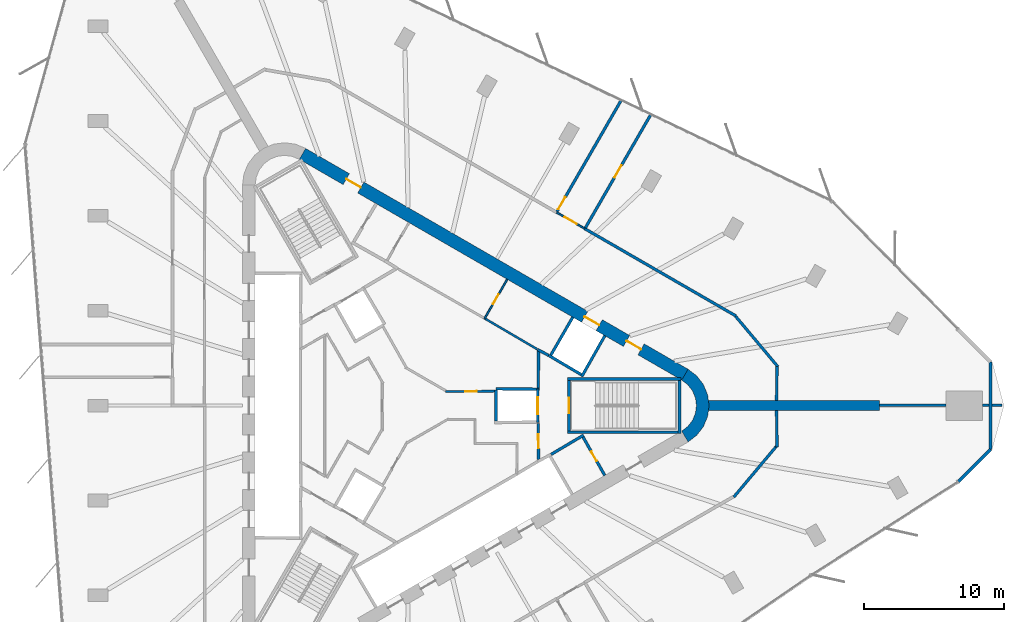
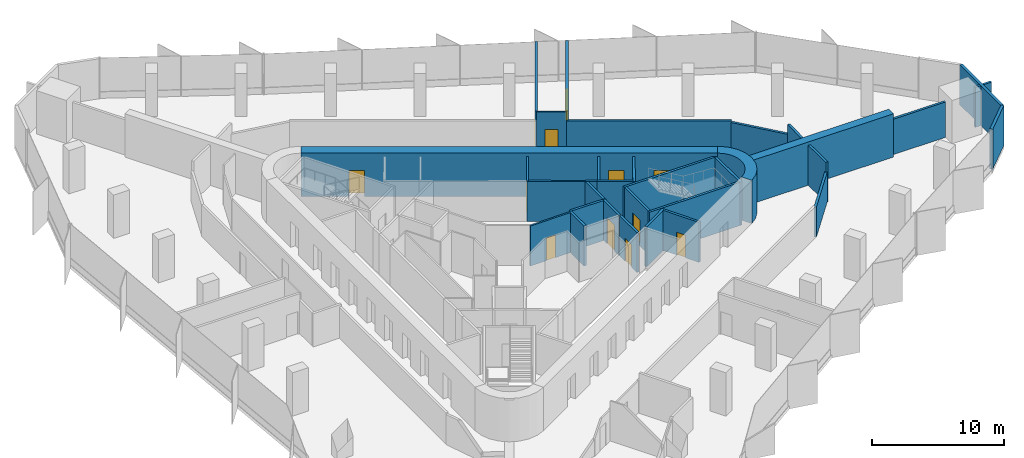
# One storey, part 11 of 13: 34 walls, 12 doors, 12 openings.
"""IFC4 building model written with IfcOpenShell, lengths in metres."""

from ifc_helpers import new_model, si_unit, direction, frame, frame_2d, origin, place, context, subcontext, project, spatial, polyline, rectangle, outline, extrude, material, layer, layer_set, type_object, element, fill, save


model = new_model("IFC4")

# Units and contexts
model_context = context("Model", 3, precision=1e-05, world=origin(), true_north=direction((0.0, 1.0)))
body_context = subcontext(model_context, "Body", "Model", "MODEL_VIEW")
ifc_project = project(units=[si_unit("LENGTHUNIT", "METRE"), si_unit("AREAUNIT", "SQUARE_METRE"), si_unit("VOLUMEUNIT", "CUBIC_METRE"), si_unit("PLANEANGLEUNIT", "RADIAN"), si_unit("MASSUNIT", "GRAM", prefix="KILO")], contexts=[model_context])

# Site, building, storey
site_placement = place(None, origin())
site = spatial("IfcSite", under=ifc_project, at=site_placement, CompositionType="ELEMENT")
building_placement = place(site_placement, origin())
building = spatial("IfcBuilding", under=site, at=building_placement, Name="Tanit Gate Tower", CompositionType="ELEMENT")
storey_placement = place(building_placement, frame((0.0, 0.0, 185.199951171875)))
storey = spatial("IfcBuildingStorey", under=building, at=storey_placement, Name="L40", CompositionType="ELEMENT", Elevation=185.199951171875)

# Wall
ifc_material_1 = material(Name="Concrete C50/60", Category="concrete")
ifc_layer_1 = layer(ifc_material_1, 0.699951171875)
ifc_layer_set_1 = layer_set([ifc_layer_1], Name="BUTTRESS FIN 700 C50/60")
wall_type_1 = type_object("IfcWallType", Name="BUTTRESS FIN 700 C50/60", PredefinedType="SHEAR", material=ifc_layer_set_1)
wall_1_placement = place(storey_placement, frame((21.14990234375, 0.0, 0.0), z_axis=(0.0, 0.0, 1.0), x_axis=(1.0, 0.0, 0.0)))
element("IfcWall", 1, at=wall_1_placement, inside=storey, type_object=wall_type_1, Name="BUTTRESS FIN", PredefinedType="SHEAR", context=body_context, shape_type="SweptSolid", body=[
    extrude(rectangle(XDim=12.2197265625, YDim=0.699951171875, at=frame_2d((6.10986328125, 0.0))), origin(), (0.0, 0.0, 1.0), 4.0),
])

# Wall, openings, doors
ifc_material_2 = material(Name="Concrete C50/60", Category="concrete")
ifc_layer_2 = layer(ifc_material_2, 0.89990234375)
ifc_layer_set_2 = layer_set([ifc_layer_2], Name="CORE WALL 900 C50/60")
wall_type_2 = type_object("IfcWallType", Name="CORE WALL 900 C50/60", PredefinedType="SHEAR", material=ifc_layer_set_2)
wall_2_placement = place(storey_placement, frame((19.47509765625, 2.20849609375, 0.0), z_axis=(0.0, 0.0, 1.0), x_axis=(-0.866028369851, 0.499994862586, 0.0)))
wall_2 = element("IfcWall", 2, at=wall_2_placement, inside=storey, type_object=wall_type_2, Name="CORE WALL", PredefinedType="SHEAR", context=body_context, shape_type="SweptSolid", body=[
    extrude(rectangle(XDim=31.523193359375, YDim=0.89990234375, at=frame_2d((15.76171875, 0.0))), origin(), (0.0, 0.0, 1.0), 4.0),
])
opening_1_placement = place(wall_2_placement, frame((7.0615234375, 0.0, 0.0)))
opening_1 = element("IfcOpeningElement", 3, at=opening_1_placement, cuts=wall_2, Name="Opening LDML8-S10", PredefinedType="OPENING", context=body_context, shape_type="SweptSolid", body=[
    extrude(rectangle(XDim=1.199951171875, YDim=2.39990234375, at=frame_2d((0.60009765625, 1.199951171875))), frame((0.0, 0.4599609375, 0.0), z_axis=(0.0, -1.0, 0.0), x_axis=(1.0, 0.0, 0.0)), (0.0, 0.0, 1.0), 0.919921875),
])
opening_2_placement = place(wall_2_placement, frame((3.611572265625, 0.0, 0.0)))
opening_2 = element("IfcOpeningElement", 4, at=opening_2_placement, cuts=wall_2, Name="Opening F12-S10-FL1", PredefinedType="OPENING", context=body_context, shape_type="SweptSolid", body=[
    extrude(rectangle(XDim=1.199951171875, YDim=2.39990234375, at=frame_2d((0.60009765625, 1.199951171875))), frame((0.0, 0.4599609375, 0.0), z_axis=(0.0, -1.0, 0.0), x_axis=(1.0, 0.0, 0.0)), (0.0, 0.0, 1.0), 0.919921875),
])
opening_3_placement = place(wall_2_placement, frame((26.711669921875, 0.0, 0.0)))
opening_3 = element("IfcOpeningElement", 5, at=opening_3_placement, cuts=wall_2, Name="Opening F12-S10-S2", PredefinedType="OPENING", context=body_context, shape_type="SweptSolid", body=[
    extrude(rectangle(XDim=1.199951171875, YDim=2.39990234375, at=frame_2d((0.60009765625, 1.199951171875))), frame((0.0, 0.4599609375, 0.0), z_axis=(0.0, -1.0, 0.0), x_axis=(1.0, 0.0, 0.0)), (0.0, 0.0, 1.0), 0.919921875),
])
ifc_material_3 = material(Name="Fire-rated steel door leaf", Category="steel")
door_type_1 = type_object("IfcDoorType", Name="INT-DOOR-FIRE-LOBBY-1200", OperationType="NOTDEFINED", PredefinedType="USERDEFINED", material=ifc_material_3)
door_1_placement = place(opening_2_placement, origin())
door_1 = element("IfcDoor", 6, at=door_1_placement, inside=storey, type_object=door_type_1, Name="Door F12-S10-FL1", ObjectType="FIRE DOOR", OperationType="SINGLE_SWING_LEFT", OverallHeight=2.39990234375, OverallWidth=1.199951171875, PredefinedType="USERDEFINED", context=body_context, shape_type="SweptSolid", body=[
    extrude(rectangle(XDim=1.199951171875, YDim=2.39990234375, at=frame_2d((0.60009765625, 1.199951171875))), frame((0.0, 0.02490234375, 0.0), z_axis=(0.0, -1.0, 0.0), x_axis=(1.0, 0.0, 0.0)), (0.0, 0.0, 1.0), 0.050048828125),
])
fill(opening_2, door_1)
door_2_placement = place(opening_3_placement, origin())
door_2 = element("IfcDoor", 7, at=door_2_placement, inside=storey, type_object=door_type_1, Name="Door F12-S10-S2", ObjectType="FIRE DOOR", OperationType="SINGLE_SWING_RIGHT", OverallHeight=2.39990234375, OverallWidth=1.199951171875, PredefinedType="USERDEFINED", context=body_context, shape_type="SweptSolid", body=[
    extrude(rectangle(XDim=1.199951171875, YDim=2.39990234375, at=frame_2d((0.60009765625, 1.199951171875))), frame((0.0, 0.02490234375, 0.0), z_axis=(0.0, -1.0, 0.0), x_axis=(1.0, 0.0, 0.0)), (0.0, 0.0, 1.0), 0.050048828125),
])
fill(opening_3, door_2)
ifc_material_4 = material(Name="Stainless steel sliding door leaf", Category="steel")
door_type_2 = type_object("IfcDoorType", Name="INT-DOOR-LANDING-1200", OperationType="NOTDEFINED", PredefinedType="USERDEFINED", material=ifc_material_4)
door_3_placement = place(opening_1_placement, origin())
door_3 = element("IfcDoor", 8, at=door_3_placement, inside=storey, type_object=door_type_2, Name="Door LDML8-S10", ObjectType="LANDING DOOR", OperationType="SLIDING_TO_LEFT", OverallHeight=2.39990234375, OverallWidth=1.199951171875, PredefinedType="USERDEFINED", context=body_context, shape_type="SweptSolid", body=[
    extrude(rectangle(XDim=1.199951171875, YDim=2.39990234375, at=frame_2d((0.60009765625, 1.199951171875))), frame((0.0, 0.02490234375, 0.0), z_axis=(0.0, -1.0, 0.0), x_axis=(1.0, 0.0, 0.0)), (0.0, 0.0, 1.0), 0.050048828125),
])
fill(opening_1, door_3)

# Walls
wall_3_placement = place(storey_placement, origin())
element("IfcWall", 9, at=wall_3_placement, inside=storey, type_object=wall_type_2, Name="CORE WALL CORNER", PredefinedType="SHEAR", context=body_context, shape_type="SweptSolid", body=[
    extrude(outline(polyline([(19.699951171875, -2.59814453125), (20.3212890625, -2.121337890625), (20.798095703125, -1.5), (21.097900390625, -0.776611328125), (21.199951171875, 0.0), (21.097900390625, 0.776611328125), (20.798095703125, 1.5), (20.3212890625, 2.121337890625), (19.699951171875, 2.59814453125), (19.25, 1.818603515625), (19.684814453125, 1.48486328125), (20.018798828125, 1.050048828125), (20.228515625, 0.54345703125), (20.300048828125, 0.0), (20.228515625, -0.54345703125), (20.018798828125, -1.050048828125), (19.684814453125, -1.48486328125), (19.25, -1.818603515625), (19.699951171875, -2.59814453125)])), origin(), (0.0, 0.0, 1.0), 4.0),
])
ifc_material_5 = material(Name="Concrete C30/37 with bronze anodised aluminium cladding", Category="concrete")
ifc_layer_3 = layer(ifc_material_5, 0.239990234375)
ifc_layer_set_3 = layer_set([ifc_layer_3], Name="Facade wall bronze clad 240")
wall_type_3 = type_object("IfcWallType", Name="Facade wall bronze clad 240", PredefinedType="SOLIDWALL", material=ifc_layer_set_3)
wall_4_placement = place(storey_placement, frame((38.98828125, -5.428466796875, 0.0), z_axis=(0.0, 0.0, 1.0), x_axis=(0.707144274587, 0.707069285798, 0.0)))
element("IfcWall", 10, at=wall_4_placement, inside=storey, type_object=wall_type_3, Name="Bronze-clad facade wall L40 E.arc1", PredefinedType="SOLIDWALL", context=body_context, shape_type="SweptSolid", body=[
    extrude(rectangle(XDim=3.255615234375, YDim=0.239990234375, at=frame_2d((1.6279296875, 0.0))), origin(), (0.0, 0.0, 1.0), 3.699951171875),
])
wall_5_placement = place(storey_placement, frame((41.29052734375, -3.12646484375, 0.0), z_axis=(0.0, 0.0, 1.0), x_axis=(0.0, 1.0, 0.0)))
element("IfcWall", 11, at=wall_5_placement, inside=storey, type_object=wall_type_3, Name="Bronze-clad facade wall L40 E.arc2", PredefinedType="SOLIDWALL", context=body_context, shape_type="SweptSolid", body=[
    extrude(rectangle(XDim=6.2529296875, YDim=0.239990234375, at=frame_2d((3.12646484375, 0.0))), origin(), (0.0, 0.0, 1.0), 3.699951171875),
])
ifc_material_6 = material(Name="Fire-rated gypsum board partition")
ifc_layer_4 = layer(ifc_material_6, 0.199951171875)
ifc_layer_set_4 = layer_set([ifc_layer_4], Name="INT-WALL-COMPARTMENT")
wall_type_4 = type_object("IfcWallType", Name="INT-WALL-COMPARTMENT", PredefinedType="PARTITIONING", material=ifc_layer_set_4)
wall_6_placement = place(storey_placement, frame((8.97412109375, 3.998779296875, 0.0), z_axis=(0.0, 0.0, 1.0), x_axis=(0.880917147855, -0.473270513147, 0.0)))
element("IfcWall", 12, at=wall_6_placement, inside=storey, type_object=wall_type_4, Name="Wall Compartment W050", PredefinedType="PARTITIONING", context=body_context, shape_type="SweptSolid", body=[
    extrude(rectangle(XDim=0.8779296875, YDim=0.199951171875, at=frame_2d((0.43896484375, 0.0))), origin(), (0.0, 0.0, 1.0), 3.699951171875),
])
wall_7_placement = place(storey_placement, frame((12.244873046875, -2.10888671875, 0.0), z_axis=(0.0, 0.0, 1.0), x_axis=(-0.860414880418, -0.509594185166, 0.0)))
element("IfcWall", 13, at=wall_7_placement, inside=storey, type_object=wall_type_4, Name="Wall Compartment W057", PredefinedType="PARTITIONING", context=body_context, shape_type="SweptSolid", body=[
    extrude(rectangle(XDim=2.7001953125, YDim=0.199951171875, at=frame_2d((1.35009765625, 0.0))), origin(), (0.0, 0.0, 1.0), 3.699951171875),
])

# Wall, opening, door
wall_8_placement = place(storey_placement, frame((13.758056640625, -4.989501953125, 0.0), z_axis=(0.0, 0.0, 1.0), x_axis=(-0.491993409184, 0.87059892334, 0.0)))
wall_8 = element("IfcWall", 14, at=wall_8_placement, inside=storey, type_object=wall_type_4, Name="Wall Compartment W058", PredefinedType="PARTITIONING", context=body_context, shape_type="SweptSolid", body=[
    extrude(rectangle(XDim=3.150146484375, YDim=0.199951171875, at=frame_2d((1.5751953125, 0.0))), origin(), (0.0, 0.0, 1.0), 3.699951171875),
])
opening_4_placement = place(wall_8_placement, frame((1.175048828125, 0.0, 0.0)))
opening_4 = element("IfcOpeningElement", 15, at=opening_4_placement, cuts=wall_8, Name="Opening R08-S10-16", PredefinedType="OPENING", context=body_context, shape_type="SweptSolid", body=[
    extrude(rectangle(XDim=0.800048828125, YDim=2.10009765625, at=frame_2d((0.39990234375, 1.050048828125))), frame((0.0, 0.10986328125, 0.0), z_axis=(0.0, -1.0, 0.0), x_axis=(1.0, 0.0, 0.0)), (0.0, 0.0, 1.0), 0.219970703125),
])
ifc_material_7 = material(Name="Timber door leaf", Category="wood")
door_type_3 = type_object("IfcDoorType", Name="INT-DOOR-RISER-800", OperationType="NOTDEFINED", PredefinedType="USERDEFINED", material=ifc_material_7)
door_4_placement = place(opening_4_placement, origin())
door_4 = element("IfcDoor", 16, at=door_4_placement, inside=storey, type_object=door_type_3, Name="Door R08-S10-16", ObjectType="FIRE DOOR", OperationType="SINGLE_SWING_LEFT", OverallHeight=2.10009765625, OverallWidth=0.800048828125, PredefinedType="USERDEFINED", context=body_context, shape_type="SweptSolid", body=[
    extrude(rectangle(XDim=0.800048828125, YDim=2.10009765625, at=frame_2d((0.39990234375, 1.050048828125))), frame((0.0, 0.02490234375, 0.0), z_axis=(0.0, -1.0, 0.0), x_axis=(1.0, 0.0, 0.0)), (0.0, 0.0, 1.0), 0.050048828125),
])
fill(opening_4, door_4)

# Wall
wall_9_placement = place(storey_placement, frame((9.0009765625, 1.27001953125, 0.0), z_axis=(0.0, 0.0, 1.0), x_axis=(0.01074821465, 0.999942236273, 0.0)))
element("IfcWall", 17, at=wall_9_placement, inside=storey, type_object=wall_type_4, Name="Wall Compartment W059", PredefinedType="PARTITIONING", context=body_context, shape_type="SweptSolid", body=[
    extrude(rectangle(XDim=2.725830078125, YDim=0.199951171875, at=frame_2d((1.36279296875, 0.0))), origin(), (0.0, 0.0, 1.0), 3.699951171875),
])

# Wall, opening, door
wall_10_placement = place(storey_placement, frame((9.02880859375, -3.850830078125, 0.0), z_axis=(0.0, 0.0, 1.0), x_axis=(-0.010783593937, 0.99994185536, 0.0)))
wall_10 = element("IfcWall", 18, at=wall_10_placement, inside=storey, type_object=wall_type_4, Name="Wall Compartment W060", PredefinedType="PARTITIONING", context=body_context, shape_type="SweptSolid", body=[
    extrude(rectangle(XDim=2.5810546875, YDim=0.199951171875, at=frame_2d((1.29052734375, 0.0))), origin(), (0.0, 0.0, 1.0), 3.699951171875),
])
opening_5_placement = place(wall_10_placement, frame((0.79052734375, 0.0, 0.0)))
opening_5 = element("IfcOpeningElement", 19, at=opening_5_placement, cuts=wall_10, Name="Opening F10-S10-02", PredefinedType="OPENING", context=body_context, shape_type="SweptSolid", body=[
    extrude(rectangle(XDim=1.0, YDim=2.10009765625, at=frame_2d((0.5, 1.050048828125))), frame((0.0, 0.10986328125, 0.0), z_axis=(0.0, -1.0, 0.0), x_axis=(1.0, 0.0, 0.0)), (0.0, 0.0, 1.0), 0.219970703125),
])
ifc_material_8 = material(Name="Fire-rated steel door leaf", Category="steel")
door_type_4 = type_object("IfcDoorType", Name="INT-DOOR-FIRE-1000", OperationType="NOTDEFINED", PredefinedType="USERDEFINED", material=ifc_material_8)
door_5_placement = place(opening_5_placement, origin())
door_5 = element("IfcDoor", 20, at=door_5_placement, inside=storey, type_object=door_type_4, Name="Door F10-S10-02", ObjectType="FIRE DOOR", OperationType="SINGLE_SWING_RIGHT", OverallHeight=2.10009765625, OverallWidth=1.0, PredefinedType="USERDEFINED", context=body_context, shape_type="SweptSolid", body=[
    extrude(rectangle(XDim=1.0, YDim=2.10009765625, at=frame_2d((0.5, 1.050048828125))), frame((0.0, 0.02490234375, 0.0), z_axis=(0.0, -1.0, 0.0), x_axis=(1.0, 0.0, 0.0)), (0.0, 0.0, 1.0), 0.050048828125),
])
fill(opening_5, door_5)

# Walls
wall_11_placement = place(storey_placement, frame((23.118896484375, 6.397705078125, 0.0), z_axis=(0.0, 0.0, 1.0), x_axis=(-0.866027821991, 0.499995811521, 0.0)))
element("IfcWall", 21, at=wall_11_placement, inside=storey, type_object=wall_type_4, Name="Wall Compartment W100", PredefinedType="PARTITIONING", context=body_context, shape_type="SweptSolid", body=[
    extrude(rectangle(XDim=12.47265625, YDim=0.199951171875, at=frame_2d((6.236328125, 0.0))), origin(), (0.0, 0.0, 1.0), 2.880126953125),
])
wall_12_placement = place(storey_placement, frame((26.12109375, 2.766357421875, 0.0), z_axis=(0.0, 0.0, 1.0), x_axis=(-0.642778291452, 0.766052261949, 0.0)))
element("IfcWall", 22, at=wall_12_placement, inside=storey, type_object=wall_type_4, Name="Wall Compartment W101", PredefinedType="PARTITIONING", context=body_context, shape_type="SweptSolid", body=[
    extrude(rectangle(XDim=4.70556640625, YDim=0.199951171875, at=frame_2d((2.352783203125, 0.0))), origin(), (0.0, 0.0, 1.0), 2.780029296875),
])
wall_13_placement = place(storey_placement, frame((26.019775390625, 0.35009765625, 0.0), z_axis=(0.0, 0.0, 1.0), x_axis=(0.010532007244, 0.999944536874, 0.0)))
element("IfcWall", 23, at=wall_13_placement, inside=storey, type_object=wall_type_4, Name="Wall Compartment W102", PredefinedType="PARTITIONING", context=body_context, shape_type="SweptSolid", body=[
    extrude(rectangle(XDim=2.457275390625, YDim=0.199951171875, at=frame_2d((1.228515625, 0.0))), origin(), (0.0, 0.0, 1.0), 3.699951171875),
])
wall_14_placement = place(storey_placement, frame((26.04736328125, -2.972412109375, 0.0), z_axis=(0.0, 0.0, 1.0), x_axis=(-0.010519853563, 0.99994466481, 0.0)))
element("IfcWall", 24, at=wall_14_placement, inside=storey, type_object=wall_type_4, Name="Wall Compartment W105", PredefinedType="PARTITIONING", context=body_context, shape_type="SweptSolid", body=[
    extrude(rectangle(XDim=2.62255859375, YDim=0.199951171875, at=frame_2d((1.311279296875, 0.0))), origin(), (0.0, 0.0, 1.0), 3.699951171875),
])
wall_15_placement = place(storey_placement, frame((22.968017578125, -6.5244140625, 0.0), z_axis=(0.0, 0.0, 1.0), x_axis=(0.642764400317, 0.766063917493, 0.0)))
element("IfcWall", 25, at=wall_15_placement, inside=storey, type_object=wall_type_4, Name="Wall Compartment W106", PredefinedType="PARTITIONING", context=body_context, shape_type="SweptSolid", body=[
    extrude(rectangle(XDim=4.740234375, YDim=0.199951171875, at=frame_2d((2.3701171875, 0.0))), origin(), (0.0, 0.0, 1.0), 2.780029296875),
])

# Wall, opening, door
wall_16_placement = place(storey_placement, frame((14.923828125, 21.788818359375, 0.0), z_axis=(0.0, 0.0, 1.0), x_axis=(-0.499989745068, -0.866031324391, 0.0)))
wall_16 = element("IfcWall", 26, at=wall_16_placement, inside=storey, type_object=wall_type_4, Name="Wall Compartment W119", PredefinedType="PARTITIONING", context=body_context, shape_type="SweptSolid", body=[
    extrude(rectangle(XDim=9.171630859375, YDim=0.199951171875, at=frame_2d((4.5859375, 0.0))), origin(), (0.0, 0.0, 1.0), 3.699951171875),
])
opening_6_placement = place(wall_16_placement, frame((7.9716796875, 0.0, 0.0)))
opening_6 = element("IfcOpeningElement", 27, at=opening_6_placement, cuts=wall_16, Name="Opening F10-S10-27", PredefinedType="OPENING", context=body_context, shape_type="SweptSolid", body=[
    extrude(rectangle(XDim=1.0, YDim=2.10009765625, at=frame_2d((0.5, 1.050048828125))), frame((0.0, 0.10986328125, 0.0), z_axis=(0.0, -1.0, 0.0), x_axis=(1.0, 0.0, 0.0)), (0.0, 0.0, 1.0), 0.219970703125),
])
door_6_placement = place(opening_6_placement, origin())
door_6 = element("IfcDoor", 28, at=door_6_placement, inside=storey, type_object=door_type_4, Name="Door F10-S10-27", ObjectType="FIRE DOOR", OperationType="SINGLE_SWING_LEFT", OverallHeight=2.10009765625, OverallWidth=1.0, PredefinedType="USERDEFINED", context=body_context, shape_type="SweptSolid", body=[
    extrude(rectangle(XDim=1.0, YDim=2.10009765625, at=frame_2d((0.5, 1.050048828125))), frame((0.0, 0.02490234375, 0.0), z_axis=(0.0, -1.0, 0.0), x_axis=(1.0, 0.0, 0.0)), (0.0, 0.0, 1.0), 0.050048828125),
])
fill(opening_6, door_6)

wall_17_placement = place(storey_placement, frame((12.364501953125, 12.676025390625, 0.0), z_axis=(0.0, 0.0, 1.0), x_axis=(0.499998839552, 0.866026073768, 0.0)))
wall_17 = element("IfcWall", 29, at=wall_17_placement, inside=storey, type_object=wall_type_4, Name="Wall Compartment W120", PredefinedType="PARTITIONING", context=body_context, shape_type="SweptSolid", body=[
    extrude(rectangle(XDim=9.35400390625, YDim=0.199951171875, at=frame_2d((4.677001953125, 0.0))), origin(), (0.0, 0.0, 1.0), 3.699951171875),
])
opening_7_placement = place(wall_17_placement, frame((4.177001953125, 0.0, 0.0)))
opening_7 = element("IfcOpeningElement", 30, at=opening_7_placement, cuts=wall_17, Name="Opening F10-S10-28", PredefinedType="OPENING", context=body_context, shape_type="SweptSolid", body=[
    extrude(rectangle(XDim=1.0, YDim=2.10009765625, at=frame_2d((0.5, 1.050048828125))), frame((0.0, 0.10986328125, 0.0), z_axis=(0.0, -1.0, 0.0), x_axis=(1.0, 0.0, 0.0)), (0.0, 0.0, 1.0), 0.219970703125),
])
door_7_placement = place(opening_7_placement, origin())
door_7 = element("IfcDoor", 31, at=door_7_placement, inside=storey, type_object=door_type_4, Name="Door F10-S10-28", ObjectType="FIRE DOOR", OperationType="SINGLE_SWING_LEFT", OverallHeight=2.10009765625, OverallWidth=1.0, PredefinedType="USERDEFINED", context=body_context, shape_type="SweptSolid", body=[
    extrude(rectangle(XDim=1.0, YDim=2.10009765625, at=frame_2d((0.5, 1.050048828125))), frame((0.0, 0.02490234375, 0.0), z_axis=(0.0, -1.0, 0.0), x_axis=(1.0, 0.0, 0.0)), (0.0, 0.0, 1.0), 0.050048828125),
])
fill(opening_7, door_7)

# Walls
wall_18_placement = place(storey_placement, frame((33.36962890625, 0.030029296875, 0.0), z_axis=(0.0, 0.0, 1.0), x_axis=(1.0, 0.0, 0.0)))
element("IfcWall", 32, at=wall_18_placement, inside=storey, type_object=wall_type_4, Name="Wall Compartment W121", PredefinedType="PARTITIONING", context=body_context, shape_type="SweptSolid", body=[
    extrude(rectangle(XDim=4.732666015625, YDim=0.199951171875, at=frame_2d((2.3662109375, 0.0))), origin(), (0.0, 0.0, 1.0), 3.27001953125),
])
wall_19_placement = place(storey_placement, frame((40.702392578125, 0.030029296875, 0.0), z_axis=(0.0, 0.0, 1.0), x_axis=(1.0, 0.0, 0.0)))
element("IfcWall", 33, at=wall_19_placement, inside=storey, type_object=wall_type_4, Name="Wall Compartment W122", PredefinedType="PARTITIONING", context=body_context, shape_type="SweptSolid", body=[
    extrude(rectangle(XDim=0.468017578125, YDim=0.199951171875, at=frame_2d((0.23388671875, 0.0))), origin(), (0.0, 0.0, 1.0), 3.699951171875),
])
wall_20_placement = place(storey_placement, frame((41.410400390625, 0.030029296875, 0.0), z_axis=(0.0, 0.0, 1.0), x_axis=(1.0, 0.0, 0.0)))
element("IfcWall", 34, at=wall_20_placement, inside=storey, type_object=wall_type_4, Name="Wall Compartment W122x1", PredefinedType="PARTITIONING", context=body_context, shape_type="SweptSolid", body=[
    extrude(rectangle(XDim=0.709716796875, YDim=0.199951171875, at=frame_2d((0.35498046875, 0.0))), origin(), (0.0, 0.0, 1.0), 3.699951171875),
])

# Wall, opening, door
ifc_material_9 = material(Name="Gypsum board partition")
ifc_layer_5 = layer(ifc_material_9, 0.1201171875)
ifc_layer_set_5 = layer_set([ifc_layer_5], Name="INT-WALL-PARTITION")
wall_type_5 = type_object("IfcWallType", Name="INT-WALL-PARTITION", PredefinedType="PARTITIONING", material=ifc_layer_set_5)
wall_21_placement = place(storey_placement, frame((5.170166015625, 6.19482421875, 0.0), z_axis=(0.0, 0.0, 1.0), x_axis=(0.499984717929, 0.866034226713, 0.0)))
wall_21 = element("IfcWall", 35, at=wall_21_placement, inside=storey, type_object=wall_type_5, Name="Wall Partition W049", PredefinedType="PARTITIONING", context=body_context, shape_type="SweptSolid", body=[
    extrude(rectangle(XDim=3.25, YDim=0.1201171875, at=frame_2d((1.625, 0.0))), origin(), (0.0, 0.0, 1.0), 3.699951171875),
])
opening_8_placement = place(wall_21_placement, frame((1.22509765625, 0.0, 0.0)))
opening_8 = element("IfcOpeningElement", 36, at=opening_8_placement, cuts=wall_21, Name="Opening R08-S10-14", PredefinedType="OPENING", context=body_context, shape_type="SweptSolid", body=[
    extrude(rectangle(XDim=0.800048828125, YDim=2.10009765625, at=frame_2d((0.39990234375, 1.050048828125))), frame((0.0, 0.070068359375, 0.0), z_axis=(0.0, -1.0, 0.0), x_axis=(1.0, 0.0, 0.0)), (0.0, 0.0, 1.0), 0.14013671875),
])
door_8_placement = place(opening_8_placement, origin())
door_8 = element("IfcDoor", 37, at=door_8_placement, inside=storey, type_object=door_type_3, Name="Door R08-S10-14", ObjectType="FIRE DOOR", OperationType="SINGLE_SWING_RIGHT", OverallHeight=2.10009765625, OverallWidth=0.800048828125, PredefinedType="USERDEFINED", context=body_context, shape_type="SweptSolid", body=[
    extrude(rectangle(XDim=0.800048828125, YDim=2.10009765625, at=frame_2d((0.39990234375, 1.050048828125))), frame((0.0, 0.02490234375, 0.0), z_axis=(0.0, -1.0, 0.0), x_axis=(1.0, 0.0, 0.0)), (0.0, 0.0, 1.0), 0.050048828125),
])
fill(opening_8, door_8)

wall_22_placement = place(storey_placement, frame((10.325439453125, 13.783935546875, 0.0), z_axis=(0.0, 0.0, 1.0), x_axis=(0.86602648383, -0.499998129301, 0.0)))
wall_22 = element("IfcWall", 38, at=wall_22_placement, inside=storey, type_object=wall_type_5, Name="Wall Partition W096", PredefinedType="PARTITIONING", context=body_context, shape_type="SweptSolid", body=[
    extrude(rectangle(XDim=2.2998046875, YDim=0.1201171875, at=frame_2d((1.14990234375, 0.0))), origin(), (0.0, 0.0, 1.0), 3.699951171875),
])
opening_9_placement = place(wall_22_placement, frame((0.64990234375, 0.0, 0.0)))
opening_9 = element("IfcOpeningElement", 39, at=opening_9_placement, cuts=wall_22, Name="Opening D10-S10-19", PredefinedType="OPENING", context=body_context, shape_type="SweptSolid", body=[
    extrude(rectangle(XDim=1.0, YDim=2.10009765625, at=frame_2d((0.5, 1.050048828125))), frame((0.0, 0.070068359375, 0.0), z_axis=(0.0, -1.0, 0.0), x_axis=(1.0, 0.0, 0.0)), (0.0, 0.0, 1.0), 0.14013671875),
])
ifc_material_10 = material(Name="Timber door leaf", Category="wood")
door_type_5 = type_object("IfcDoorType", Name="INT-DOOR-SINGLE-1000", OperationType="NOTDEFINED", PredefinedType="NOTDEFINED", material=ifc_material_10)
door_9_placement = place(opening_9_placement, origin())
door_9 = element("IfcDoor", 40, at=door_9_placement, inside=storey, type_object=door_type_5, Name="Door D10-S10-19", OperationType="SINGLE_SWING_LEFT", OverallHeight=2.10009765625, OverallWidth=1.0, PredefinedType="NOTDEFINED", context=body_context, shape_type="SweptSolid", body=[
    extrude(rectangle(XDim=1.0, YDim=2.10009765625, at=frame_2d((0.5, 1.050048828125))), frame((0.0, 0.02490234375, 0.0), z_axis=(0.0, -1.0, 0.0), x_axis=(1.0, 0.0, 0.0)), (0.0, 0.0, 1.0), 0.050048828125),
])
fill(opening_9, door_9)

# Wall
ifc_material_11 = material(Name="Fire-rated gypsum board partition")
ifc_layer_6 = layer(ifc_material_11, 0.14990234375)
ifc_layer_set_6 = layer_set([ifc_layer_6], Name="INT-WALL-RISER")
wall_type_6 = type_object("IfcWallType", Name="INT-WALL-RISER", PredefinedType="PLUMBINGWALL", material=ifc_layer_set_6)
wall_23_placement = place(storey_placement, frame((8.9306640625, 4.024658203125, 0.0), z_axis=(0.0, 0.0, 1.0), x_axis=(-0.862666884027, 0.505772525157, 0.0)))
element("IfcWall", 41, at=wall_23_placement, inside=storey, type_object=wall_type_6, Name="Wall Riser W051", PredefinedType="PLUMBINGWALL", context=body_context, shape_type="SweptSolid", body=[
    extrude(rectangle(XDim=4.371826171875, YDim=0.14990234375, at=frame_2d((2.18603515625, 0.0))), origin(), (0.0, 0.0, 1.0), 3.699951171875),
])

# Wall, opening, door
wall_24_placement = place(storey_placement, frame((2.384033203125, 0.9990234375, 0.0), z_axis=(0.0, 0.0, 1.0), x_axis=(0.999964703434, 0.008401897723, 0.0)))
wall_24 = element("IfcWall", 42, at=wall_24_placement, inside=storey, type_object=wall_type_6, Name="Wall Riser W065", PredefinedType="PLUMBINGWALL", context=body_context, shape_type="SweptSolid", body=[
    extrude(rectangle(XDim=3.51611328125, YDim=0.14990234375, at=frame_2d((1.758056640625, 0.0))), origin(), (0.0, 0.0, 1.0), 3.699951171875),
])
opening_10_placement = place(wall_24_placement, frame((1.421630859375, 0.0, 0.0)))
opening_10 = element("IfcOpeningElement", 43, at=opening_10_placement, cuts=wall_24, Name="Opening R08-S10-10", PredefinedType="OPENING", context=body_context, shape_type="SweptSolid", body=[
    extrude(rectangle(XDim=0.800048828125, YDim=2.10009765625, at=frame_2d((0.39990234375, 1.050048828125))), frame((0.0, 0.0849609375, 0.0), z_axis=(0.0, -1.0, 0.0), x_axis=(1.0, 0.0, 0.0)), (0.0, 0.0, 1.0), 0.169921875),
])
door_10_placement = place(opening_10_placement, origin())
door_10 = element("IfcDoor", 44, at=door_10_placement, inside=storey, type_object=door_type_3, Name="Door R08-S10-10", ObjectType="FIRE DOOR", OperationType="SINGLE_SWING_LEFT", OverallHeight=2.10009765625, OverallWidth=0.800048828125, PredefinedType="USERDEFINED", context=body_context, shape_type="SweptSolid", body=[
    extrude(rectangle(XDim=0.800048828125, YDim=2.10009765625, at=frame_2d((0.39990234375, 1.050048828125))), frame((0.0, 0.02490234375, 0.0), z_axis=(0.0, -1.0, 0.0), x_axis=(1.0, 0.0, 0.0)), (0.0, 0.0, 1.0), 0.050048828125),
])
fill(opening_10, door_10)

# Walls
ifc_material_12 = material(Name="Gypsum shaft wall system")
ifc_layer_7 = layer(ifc_material_12, 0.199951171875)
ifc_layer_set_7 = layer_set([ifc_layer_7], Name="INT-WALL-SHAFT")
wall_type_7 = type_object("IfcWallType", Name="INT-WALL-SHAFT", PredefinedType="PLUMBINGWALL", material=ifc_layer_set_7)
wall_25_placement = place(storey_placement, frame((9.8466796875, 3.494873046875, 0.0), z_axis=(0.0, 0.0, 1.0), x_axis=(0.499984717929, 0.866034226713, 0.0)))
element("IfcWall", 45, at=wall_25_placement, inside=storey, type_object=wall_type_7, Name="Wall Shaft W012", PredefinedType="PLUMBINGWALL", context=body_context, shape_type="SweptSolid", body=[
    extrude(rectangle(XDim=3.25, YDim=0.199951171875, at=frame_2d((1.625, 0.0))), origin(), (0.0, 0.0, 1.0), 3.699951171875),
])
wall_26_placement = place(storey_placement, frame((12.10986328125, 2.07275390625, 0.0), z_axis=(0.0, 0.0, 1.0), x_axis=(0.49196600604, 0.870614408852, 0.0)))
element("IfcWall", 46, at=wall_26_placement, inside=storey, type_object=wall_type_7, Name="Wall Shaft W013", PredefinedType="PLUMBINGWALL", context=body_context, shape_type="SweptSolid", body=[
    extrude(rectangle(XDim=3.35009765625, YDim=0.199951171875, at=frame_2d((1.675048828125, 0.0))), origin(), (0.0, 0.0, 1.0), 3.699951171875),
])
wall_27_placement = place(storey_placement, frame((12.072998046875, 2.2109375, 0.0), z_axis=(0.0, 0.0, 1.0), x_axis=(-0.860414880418, 0.509594185166, 0.0)))
element("IfcWall", 47, at=wall_27_placement, inside=storey, type_object=wall_type_7, Name="Wall Shaft W014", PredefinedType="PLUMBINGWALL", context=body_context, shape_type="SweptSolid", body=[
    extrude(rectangle(XDim=2.7001953125, YDim=0.199951171875, at=frame_2d((1.35009765625, 0.0))), origin(), (0.0, 0.0, 1.0), 3.699951171875),
])

# Wall, opening, door
wall_28_placement = place(storey_placement, frame((8.969970703125, 1.199951171875, 0.0), z_axis=(0.0, 0.0, 1.0), x_axis=(0.0, -1.0, 0.0)))
wall_28 = element("IfcWall", 48, at=wall_28_placement, inside=storey, type_object=wall_type_7, Name="Wall Shaft W029", PredefinedType="PLUMBINGWALL", context=body_context, shape_type="SweptSolid", body=[
    extrude(rectangle(XDim=2.39990234375, YDim=0.199951171875, at=frame_2d((1.199951171875, 0.0))), origin(), (0.0, 0.0, 1.0), 3.699951171875),
])
opening_11_placement = place(wall_28_placement, frame((0.60009765625, 0.0, 0.0)))
opening_11 = element("IfcOpeningElement", 49, at=opening_11_placement, cuts=wall_28, Name="Opening LDFL1-L40", PredefinedType="OPENING", context=body_context, shape_type="SweptSolid", body=[
    extrude(rectangle(XDim=1.199951171875, YDim=2.39990234375, at=frame_2d((0.60009765625, 1.199951171875))), frame((0.0, 0.10986328125, 0.0), z_axis=(0.0, -1.0, 0.0), x_axis=(1.0, 0.0, 0.0)), (0.0, 0.0, 1.0), 0.219970703125),
])
door_11_placement = place(opening_11_placement, origin())
door_11 = element("IfcDoor", 50, at=door_11_placement, inside=storey, type_object=door_type_2, Name="Door LDFL1-L40", ObjectType="LANDING DOOR", OperationType="SLIDING_TO_LEFT", OverallHeight=2.39990234375, OverallWidth=1.199951171875, PredefinedType="USERDEFINED", context=body_context, shape_type="SweptSolid", body=[
    extrude(rectangle(XDim=1.199951171875, YDim=2.39990234375, at=frame_2d((0.60009765625, 1.199951171875))), frame((0.0, 0.02490234375, 0.0), z_axis=(0.0, -1.0, 0.0), x_axis=(1.0, 0.0, 0.0)), (0.0, 0.0, 1.0), 0.050048828125),
])
fill(opening_11, door_11)

# Walls
wall_29_placement = place(storey_placement, frame((6.0, 1.199951171875, 0.0), z_axis=(0.0, 0.0, 1.0), x_axis=(0.999949988, -0.010001074852, 0.0)))
element("IfcWall", 51, at=wall_29_placement, inside=storey, type_object=wall_type_7, Name="Wall Shaft W030", PredefinedType="PLUMBINGWALL", context=body_context, shape_type="SweptSolid", body=[
    extrude(rectangle(XDim=3.100341796875, YDim=0.199951171875, at=frame_2d((1.55029296875, 0.0))), origin(), (0.0, 0.0, 1.0), 3.699951171875),
])
wall_30_placement = place(storey_placement, frame((6.0, -1.10009765625, 0.0), z_axis=(0.0, 0.0, 1.0), x_axis=(0.0, 1.0, 0.0)))
element("IfcWall", 52, at=wall_30_placement, inside=storey, type_object=wall_type_7, Name="Wall Shaft W032", PredefinedType="PLUMBINGWALL", context=body_context, shape_type="SweptSolid", body=[
    extrude(rectangle(XDim=2.20458984375, YDim=0.199951171875, at=frame_2d((1.102294921875, 0.0))), origin(), (0.0, 0.0, 1.0), 3.699951171875),
])
ifc_material_13 = material(Name="Concrete C40/50", Category="concrete")
ifc_layer_8 = layer(ifc_material_13, 0.199951171875)
ifc_layer_set_8 = layer_set([ifc_layer_8], Name="INT-WALL-STAIR")
wall_type_8 = type_object("IfcWallType", Name="INT-WALL-STAIR", PredefinedType="SHEAR", material=ifc_layer_set_8)
wall_31_placement = place(storey_placement, frame((19.199951171875, 1.89990234375, -0.300048828125), z_axis=(0.0, 0.0, 1.0), x_axis=(-1.0, 0.0, 0.0)))
element("IfcWall", 53, at=wall_31_placement, inside=storey, type_object=wall_type_8, Name="Wall Stair W025", PredefinedType="SHEAR", context=body_context, shape_type="SweptSolid", body=[
    extrude(rectangle(XDim=8.099853515625, YDim=0.199951171875, at=frame_2d((4.0498046875, 0.0))), origin(), (0.0, 0.0, 1.0), 4.0),
])
wall_32_placement = place(storey_placement, frame((19.10009765625, -2.0, -0.300048828125), z_axis=(0.0, 0.0, 1.0), x_axis=(0.0, 1.0, 0.0)))
element("IfcWall", 54, at=wall_32_placement, inside=storey, type_object=wall_type_8, Name="Wall Stair W026", PredefinedType="SHEAR", context=body_context, shape_type="SweptSolid", body=[
    extrude(rectangle(XDim=3.800048828125, YDim=0.199951171875, at=frame_2d((1.89990234375, 0.0))), origin(), (0.0, 0.0, 1.0), 4.0),
])
wall_33_placement = place(storey_placement, frame((11.10009765625, -1.89990234375, -0.300048828125), z_axis=(0.0, 0.0, 1.0), x_axis=(1.0, 0.0, 0.0)))
element("IfcWall", 55, at=wall_33_placement, inside=storey, type_object=wall_type_8, Name="Wall Stair W027", PredefinedType="SHEAR", context=body_context, shape_type="SweptSolid", body=[
    extrude(rectangle(XDim=7.89990234375, YDim=0.199951171875, at=frame_2d((3.949951171875, 0.0))), origin(), (0.0, 0.0, 1.0), 4.0),
])

# Wall, opening, door
wall_34_placement = place(storey_placement, frame((11.199951171875, -1.800048828125, -0.300048828125), z_axis=(0.0, 0.0, 1.0), x_axis=(0.0, 1.0, 0.0)))
wall_34 = element("IfcWall", 56, at=wall_34_placement, inside=storey, type_object=wall_type_8, Name="Wall Stair W028", PredefinedType="SHEAR", context=body_context, shape_type="SweptSolid", body=[
    extrude(rectangle(XDim=3.60009765625, YDim=0.199951171875, at=frame_2d((1.800048828125, 0.0))), origin(), (0.0, 0.0, 1.0), 4.0),
])
opening_12_placement = place(wall_34_placement, frame((1.25, 0.0, 0.300048828125)))
opening_12 = element("IfcOpeningElement", 57, at=opening_12_placement, cuts=wall_34, Name="Opening S11-S10-01", PredefinedType="OPENING", context=body_context, shape_type="SweptSolid", body=[
    extrude(rectangle(XDim=1.10009765625, YDim=2.10009765625, at=frame_2d((0.550048828125, 1.050048828125))), frame((0.0, 0.10986328125, 0.0), z_axis=(0.0, -1.0, 0.0), x_axis=(1.0, 0.0, 0.0)), (0.0, 0.0, 1.0), 0.219970703125),
])
ifc_material_14 = material(Name="Timber door leaf", Category="wood")
door_type_6 = type_object("IfcDoorType", Name="INT-DOOR-STAIR-1100", OperationType="NOTDEFINED", PredefinedType="USERDEFINED", material=ifc_material_14)
door_12_placement = place(opening_12_placement, origin())
door_12 = element("IfcDoor", 58, at=door_12_placement, inside=storey, type_object=door_type_6, Name="Door S11-S10-01", ObjectType="FIRE DOOR", OperationType="SINGLE_SWING_LEFT", OverallHeight=2.10009765625, OverallWidth=1.10009765625, PredefinedType="USERDEFINED", context=body_context, shape_type="SweptSolid", body=[
    extrude(rectangle(XDim=1.10009765625, YDim=2.10009765625, at=frame_2d((0.550048828125, 1.050048828125))), frame((0.0, 0.02490234375, 0.0), z_axis=(0.0, -1.0, 0.0), x_axis=(1.0, 0.0, 0.0)), (0.0, 0.0, 1.0), 0.050048828125),
])
fill(opening_12, door_12)

save(model, "model.ifc")
